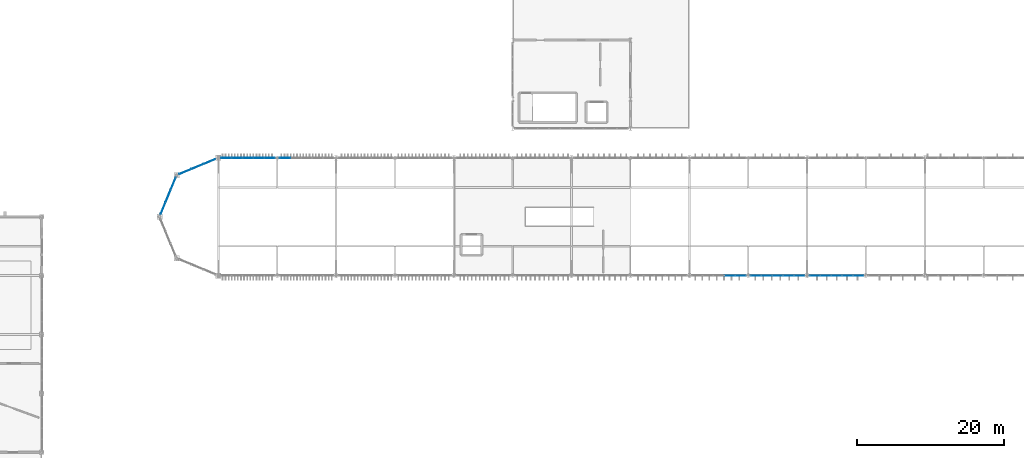
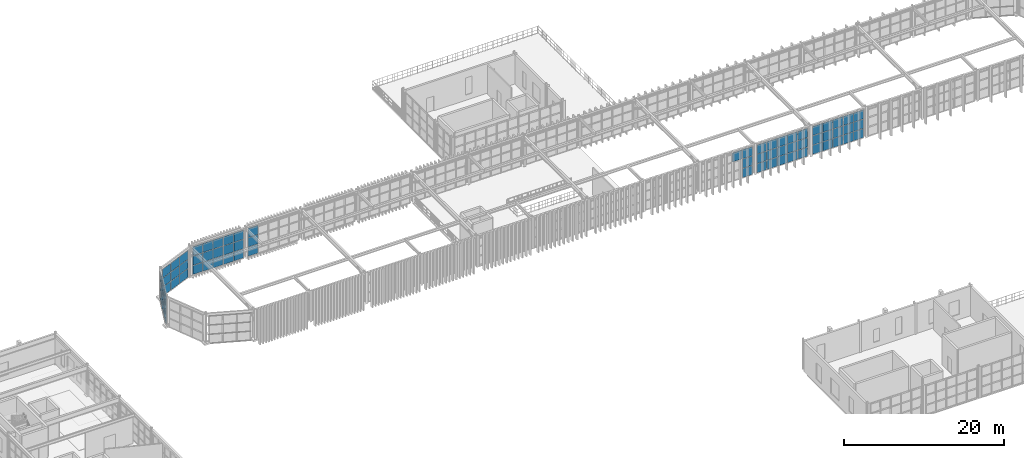
# One storey, part 39 of 61: 70 plates, 7 elements without a shape of their own.
"""IFC4 building model written with IfcOpenShell, lengths in metres."""

from ifc_helpers import new_model, si_unit, direction, frame, origin, origin_2d, place, context, subcontext, project, spatial, rectangle, extrude, material, layer, layer_set, type_object, element, aggregate, save


model = new_model("IFC4")

# Units and contexts
model_context = context("Model", 3, precision=1e-05, world=origin(), true_north=direction((0.0, 1.0)))
body_context = subcontext(model_context, "Body", "Model", "MODEL_VIEW")
ifc_project = project(units=[si_unit("LENGTHUNIT", "METRE"), si_unit("AREAUNIT", "SQUARE_METRE"), si_unit("VOLUMEUNIT", "CUBIC_METRE"), si_unit("PLANEANGLEUNIT", "RADIAN"), si_unit("MASSUNIT", "GRAM", prefix="KILO")], contexts=[model_context])

# Site, building, storey
site_placement = place(None, origin())
site = spatial("IfcSite", under=ifc_project, at=site_placement, CompositionType="ELEMENT")
building_placement = place(site_placement, origin())
building = spatial("IfcBuilding", under=site, at=building_placement, Name="Serraluz Foothill Cableway Terminal", CompositionType="ELEMENT")
storey_placement = place(building_placement, frame((0.0, 0.0, 15.0)))
storey = spatial("IfcBuildingStorey", under=building, at=storey_placement, Name="L03", CompositionType="ELEMENT", Elevation=15.0)

# Curtain wall, plates
ifc_material_1 = material(Name="Architectural bronze alloy C28000", Category="aluminium")
curtain_wall_type_1 = type_object("IfcCurtainWallType", Name="TYP-CW-440X360", PredefinedType="NOTDEFINED", material=ifc_material_1)
curtain_wall_1_placement = place(storey_placement, origin())
curtain_wall_1 = element("IfcCurtainWall", 1, at=curtain_wall_1_placement, inside=storey, type_object=curtain_wall_type_1, Name="Ribbed Glazed Curtain Wall CW-V1-W-L03-3", PredefinedType="NOTDEFINED")
ifc_material_2 = material(Name="Laminated low-E safety glass", Category="glass")
ifc_layer_1 = layer(ifc_material_2, 0.031982421875, Name="Laminated low-E safety glass", Category="glass")
ifc_layer_set_1 = layer_set([ifc_layer_1], Name="Laminated low-E safety glass")
plate_type_1 = type_object("IfcPlateType", Name="TYP-CW-PNL-32", PredefinedType="CURTAIN_PANEL", material=ifc_layer_set_1)
plate_1_placement = place(storey_placement, frame((32.4853515625, 65.172119140625, 0.05517578125), z_axis=(0.0, 0.0, 1.0), x_axis=(0.382684759834, 0.923878982655, 0.0)))
plate_1 = element("IfcPlate", 2, at=plate_1_placement, type_object=plate_type_1, Name="CW-16 panel 1.1", PredefinedType="CURTAIN_PANEL", context=body_context, shape_type="SweptSolid", body=[
    extrude(rectangle(XDim=1.72412109375, YDim=0.031982421875, at=origin_2d()), origin(), (0.0, 0.0, 1.0), 1.3173828125),
])
plate_2_placement = place(storey_placement, frame((32.4853515625, 65.172119140625, 1.427734375), z_axis=(0.0, 0.0, 1.0), x_axis=(0.382684759834, 0.923878982655, 0.0)))
plate_2 = element("IfcPlate", 3, at=plate_2_placement, type_object=plate_type_1, Name="CW-16 panel 1.2", PredefinedType="CURTAIN_PANEL", context=body_context, shape_type="SweptSolid", body=[
    extrude(rectangle(XDim=1.72412109375, YDim=0.031982421875, at=origin_2d()), origin(), (0.0, 0.0, 1.0), 1.344970703125),
])
plate_3_placement = place(storey_placement, frame((32.4853515625, 65.172119140625, 2.82763671875), z_axis=(0.0, 0.0, 1.0), x_axis=(0.382684759834, 0.923878982655, 0.0)))
plate_3 = element("IfcPlate", 4, at=plate_3_placement, type_object=plate_type_1, Name="CW-16 panel 1.3", PredefinedType="CURTAIN_PANEL", context=body_context, shape_type="SweptSolid", body=[
    extrude(rectangle(XDim=1.72412109375, YDim=0.031982421875, at=origin_2d()), origin(), (0.0, 0.0, 1.0), 1.3173828125),
])
plate_4_placement = place(storey_placement, frame((33.171630859375, 66.828369140625, 0.05517578125), z_axis=(0.0, 0.0, 1.0), x_axis=(0.382684759834, 0.923878982655, 0.0)))
plate_4 = element("IfcPlate", 5, at=plate_4_placement, type_object=plate_type_1, Name="CW-16 panel 2.1", PredefinedType="CURTAIN_PANEL", context=body_context, shape_type="SweptSolid", body=[
    extrude(rectangle(XDim=1.751708984375, YDim=0.031982421875, at=origin_2d()), origin(), (0.0, 0.0, 1.0), 1.3173828125),
])
plate_5_placement = place(storey_placement, frame((33.171630859375, 66.828369140625, 1.427734375), z_axis=(0.0, 0.0, 1.0), x_axis=(0.382684759834, 0.923878982655, 0.0)))
plate_5 = element("IfcPlate", 6, at=plate_5_placement, type_object=plate_type_1, Name="CW-16 panel 2.2", PredefinedType="CURTAIN_PANEL", context=body_context, shape_type="SweptSolid", body=[
    extrude(rectangle(XDim=1.751708984375, YDim=0.031982421875, at=origin_2d()), origin(), (0.0, 0.0, 1.0), 1.344970703125),
])
plate_6_placement = place(storey_placement, frame((33.171630859375, 66.828369140625, 2.82763671875), z_axis=(0.0, 0.0, 1.0), x_axis=(0.382684759834, 0.923878982655, 0.0)))
plate_6 = element("IfcPlate", 7, at=plate_6_placement, type_object=plate_type_1, Name="CW-16 panel 2.3", PredefinedType="CURTAIN_PANEL", context=body_context, shape_type="SweptSolid", body=[
    extrude(rectangle(XDim=1.751708984375, YDim=0.031982421875, at=origin_2d()), origin(), (0.0, 0.0, 1.0), 1.3173828125),
])
plate_7_placement = place(storey_placement, frame((33.857666015625, 68.48486328125, 0.05517578125), z_axis=(0.0, 0.0, 1.0), x_axis=(0.382684759834, 0.923878982655, 0.0)))
plate_7 = element("IfcPlate", 8, at=plate_7_placement, type_object=plate_type_1, Name="CW-16 panel 3.1", PredefinedType="CURTAIN_PANEL", context=body_context, shape_type="SweptSolid", body=[
    extrude(rectangle(XDim=1.72412109375, YDim=0.031982421875, at=origin_2d()), origin(), (0.0, 0.0, 1.0), 1.3173828125),
])
plate_8_placement = place(storey_placement, frame((33.857666015625, 68.48486328125, 1.427734375), z_axis=(0.0, 0.0, 1.0), x_axis=(0.382684759834, 0.923878982655, 0.0)))
plate_8 = element("IfcPlate", 9, at=plate_8_placement, type_object=plate_type_1, Name="CW-16 panel 3.2", PredefinedType="CURTAIN_PANEL", context=body_context, shape_type="SweptSolid", body=[
    extrude(rectangle(XDim=1.72412109375, YDim=0.031982421875, at=origin_2d()), origin(), (0.0, 0.0, 1.0), 1.344970703125),
])
plate_9_placement = place(storey_placement, frame((33.857666015625, 68.48486328125, 2.82763671875), z_axis=(0.0, 0.0, 1.0), x_axis=(0.382684759834, 0.923878982655, 0.0)))
plate_9 = element("IfcPlate", 10, at=plate_9_placement, type_object=plate_type_1, Name="CW-16 panel 3.3", PredefinedType="CURTAIN_PANEL", context=body_context, shape_type="SweptSolid", body=[
    extrude(rectangle(XDim=1.72412109375, YDim=0.031982421875, at=origin_2d()), origin(), (0.0, 0.0, 1.0), 1.3173828125),
])
aggregate(curtain_wall_1, [plate_1, plate_2, plate_3, plate_4, plate_5, plate_6, plate_7, plate_8, plate_9])

curtain_wall_type_2 = type_object("IfcCurtainWallType", Name="TYP-CW-380X420", PredefinedType="NOTDEFINED", material=ifc_material_1)
curtain_wall_2_placement = place(storey_placement, origin())
curtain_wall_2 = element("IfcCurtainWall", 11, at=curtain_wall_2_placement, inside=storey, type_object=curtain_wall_type_2, Name="Ribbed Glazed Curtain Wall CW-V1-W-L03-4", PredefinedType="NOTDEFINED")
plate_10_placement = place(storey_placement, frame((35.506591796875, 70.138671875, 0.05517578125), z_axis=(0.0, 0.0, 1.0), x_axis=(0.923880260537, 0.382681674752, 0.0)))
plate_10 = element("IfcPlate", 12, at=plate_10_placement, type_object=plate_type_1, Name="CW-17 panel 1.1", PredefinedType="CURTAIN_PANEL", context=body_context, shape_type="SweptSolid", body=[
    extrude(rectangle(XDim=1.705322265625, YDim=0.031982421875, at=origin_2d()), origin(), (0.0, 0.0, 1.0), 1.3173828125),
])
plate_11_placement = place(storey_placement, frame((35.506591796875, 70.138671875, 1.427734375), z_axis=(0.0, 0.0, 1.0), x_axis=(0.923880260537, 0.382681674752, 0.0)))
plate_11 = element("IfcPlate", 13, at=plate_11_placement, type_object=plate_type_1, Name="CW-17 panel 1.2", PredefinedType="CURTAIN_PANEL", context=body_context, shape_type="SweptSolid", body=[
    extrude(rectangle(XDim=1.705322265625, YDim=0.031982421875, at=origin_2d()), origin(), (0.0, 0.0, 1.0), 1.344970703125),
])
plate_12_placement = place(storey_placement, frame((35.506591796875, 70.138671875, 2.82763671875), z_axis=(0.0, 0.0, 1.0), x_axis=(0.923880260537, 0.382681674752, 0.0)))
plate_12 = element("IfcPlate", 14, at=plate_12_placement, type_object=plate_type_1, Name="CW-17 panel 1.3", PredefinedType="CURTAIN_PANEL", context=body_context, shape_type="SweptSolid", body=[
    extrude(rectangle(XDim=1.705322265625, YDim=0.031982421875, at=origin_2d()), origin(), (0.0, 0.0, 1.0), 1.3173828125),
])
plate_13_placement = place(storey_placement, frame((37.1455078125, 70.817626953125, 0.05517578125), z_axis=(0.0, 0.0, 1.0), x_axis=(0.923880260537, 0.382681674752, 0.0)))
plate_13 = element("IfcPlate", 15, at=plate_13_placement, type_object=plate_type_1, Name="CW-17 panel 2.1", PredefinedType="CURTAIN_PANEL", context=body_context, shape_type="SweptSolid", body=[
    extrude(rectangle(XDim=1.73291015625, YDim=0.031982421875, at=origin_2d()), origin(), (0.0, 0.0, 1.0), 1.3173828125),
])
plate_14_placement = place(storey_placement, frame((37.1455078125, 70.817626953125, 1.427734375), z_axis=(0.0, 0.0, 1.0), x_axis=(0.923880260537, 0.382681674752, 0.0)))
plate_14 = element("IfcPlate", 16, at=plate_14_placement, type_object=plate_type_1, Name="CW-17 panel 2.2", PredefinedType="CURTAIN_PANEL", context=body_context, shape_type="SweptSolid", body=[
    extrude(rectangle(XDim=1.73291015625, YDim=0.031982421875, at=origin_2d()), origin(), (0.0, 0.0, 1.0), 1.344970703125),
])
plate_15_placement = place(storey_placement, frame((37.1455078125, 70.817626953125, 2.82763671875), z_axis=(0.0, 0.0, 1.0), x_axis=(0.923880260537, 0.382681674752, 0.0)))
plate_15 = element("IfcPlate", 17, at=plate_15_placement, type_object=plate_type_1, Name="CW-17 panel 2.3", PredefinedType="CURTAIN_PANEL", context=body_context, shape_type="SweptSolid", body=[
    extrude(rectangle(XDim=1.73291015625, YDim=0.031982421875, at=origin_2d()), origin(), (0.0, 0.0, 1.0), 1.3173828125),
])
plate_16_placement = place(storey_placement, frame((38.784423828125, 71.49658203125, 0.05517578125), z_axis=(0.0, 0.0, 1.0), x_axis=(0.923880260537, 0.382681674752, 0.0)))
plate_16 = element("IfcPlate", 18, at=plate_16_placement, type_object=plate_type_1, Name="CW-17 panel 3.1", PredefinedType="CURTAIN_PANEL", context=body_context, shape_type="SweptSolid", body=[
    extrude(rectangle(XDim=1.705322265625, YDim=0.031982421875, at=origin_2d()), origin(), (0.0, 0.0, 1.0), 1.3173828125),
])
plate_17_placement = place(storey_placement, frame((38.784423828125, 71.49658203125, 1.427734375), z_axis=(0.0, 0.0, 1.0), x_axis=(0.923880260537, 0.382681674752, 0.0)))
plate_17 = element("IfcPlate", 19, at=plate_17_placement, type_object=plate_type_1, Name="CW-17 panel 3.2", PredefinedType="CURTAIN_PANEL", context=body_context, shape_type="SweptSolid", body=[
    extrude(rectangle(XDim=1.705322265625, YDim=0.031982421875, at=origin_2d()), origin(), (0.0, 0.0, 1.0), 1.344970703125),
])
plate_18_placement = place(storey_placement, frame((38.784423828125, 71.49658203125, 2.82763671875), z_axis=(0.0, 0.0, 1.0), x_axis=(0.923880260537, 0.382681674752, 0.0)))
plate_18 = element("IfcPlate", 20, at=plate_18_placement, type_object=plate_type_1, Name="CW-17 panel 3.3", PredefinedType="CURTAIN_PANEL", context=body_context, shape_type="SweptSolid", body=[
    extrude(rectangle(XDim=1.705322265625, YDim=0.031982421875, at=origin_2d()), origin(), (0.0, 0.0, 1.0), 1.3173828125),
])
aggregate(curtain_wall_2, [plate_10, plate_11, plate_12, plate_13, plate_14, plate_15, plate_16, plate_17, plate_18])

curtain_wall_type_3 = type_object("IfcCurtainWallType", Name="TYP-CW-640X440", PredefinedType="NOTDEFINED", material=ifc_material_1)
curtain_wall_3_placement = place(storey_placement, origin())
curtain_wall_3 = element("IfcCurtainWall", 21, at=curtain_wall_3_placement, inside=storey, type_object=curtain_wall_type_3, Name="Ribbed Glazed Curtain Wall CW-V1N-L03-40", PredefinedType="NOTDEFINED")
ifc_material_3 = material(Name="Translucent ribbed laminated channel glass", Category="glass")
ifc_layer_2 = layer(ifc_material_3, 0.0419921875, Name="Translucent ribbed laminated channel glass", Category="glass")
ifc_layer_set_2 = layer_set([ifc_layer_2], Name="Translucent ribbed laminated channel glass")
plate_type_2 = type_object("IfcPlateType", Name="TYP-CW-PNL-42", PredefinedType="CURTAIN_PANEL", material=ifc_layer_set_2)
plate_19_placement = place(storey_placement, frame((41.05908203125, 72.0, 0.06005859375), z_axis=(0.0, 0.0, 1.0), x_axis=(1.0, 0.0, 0.0)))
plate_19 = element("IfcPlate", 22, at=plate_19_placement, type_object=plate_type_2, Name="CW-12 panel 1.1", PredefinedType="CURTAIN_PANEL", context=body_context, shape_type="SweptSolid", body=[
    extrude(rectangle(XDim=1.393310546875, YDim=0.0419921875, at=origin_2d()), origin(), (0.0, 0.0, 1.0), 1.360107421875),
])
plate_20_placement = place(storey_placement, frame((41.05908203125, 72.0, 1.47998046875), z_axis=(0.0, 0.0, 1.0), x_axis=(1.0, 0.0, 0.0)))
plate_20 = element("IfcPlate", 23, at=plate_20_placement, type_object=plate_type_2, Name="CW-12 panel 1.2", PredefinedType="CURTAIN_PANEL", context=body_context, shape_type="SweptSolid", body=[
    extrude(rectangle(XDim=1.393310546875, YDim=0.0419921875, at=origin_2d()), origin(), (0.0, 0.0, 1.0), 1.389892578125),
])
plate_21_placement = place(storey_placement, frame((41.05908203125, 72.0, 2.93017578125), z_axis=(0.0, 0.0, 1.0), x_axis=(1.0, 0.0, 0.0)))
plate_21 = element("IfcPlate", 24, at=plate_21_placement, type_object=plate_type_2, Name="CW-12 panel 1.3", PredefinedType="CURTAIN_PANEL", context=body_context, shape_type="SweptSolid", body=[
    extrude(rectangle(XDim=1.393310546875, YDim=0.0419921875, at=origin_2d()), origin(), (0.0, 0.0, 1.0), 1.360107421875),
])
plate_22_placement = place(storey_placement, frame((42.52734375, 72.0, 0.06005859375), z_axis=(0.0, 0.0, 1.0), x_axis=(1.0, 0.0, 0.0)))
plate_22 = element("IfcPlate", 25, at=plate_22_placement, type_object=plate_type_2, Name="CW-12 panel 2.1", PredefinedType="CURTAIN_PANEL", context=body_context, shape_type="SweptSolid", body=[
    extrude(rectangle(XDim=1.423095703125, YDim=0.0419921875, at=origin_2d()), origin(), (0.0, 0.0, 1.0), 1.360107421875),
])
plate_23_placement = place(storey_placement, frame((42.52734375, 72.0, 1.47998046875), z_axis=(0.0, 0.0, 1.0), x_axis=(1.0, 0.0, 0.0)))
plate_23 = element("IfcPlate", 26, at=plate_23_placement, type_object=plate_type_2, Name="CW-12 panel 2.2", PredefinedType="CURTAIN_PANEL", context=body_context, shape_type="SweptSolid", body=[
    extrude(rectangle(XDim=1.423095703125, YDim=0.0419921875, at=origin_2d()), origin(), (0.0, 0.0, 1.0), 1.389892578125),
])
plate_24_placement = place(storey_placement, frame((42.52734375, 72.0, 2.93017578125), z_axis=(0.0, 0.0, 1.0), x_axis=(1.0, 0.0, 0.0)))
plate_24 = element("IfcPlate", 27, at=plate_24_placement, type_object=plate_type_2, Name="CW-12 panel 2.3", PredefinedType="CURTAIN_PANEL", context=body_context, shape_type="SweptSolid", body=[
    extrude(rectangle(XDim=1.423095703125, YDim=0.0419921875, at=origin_2d()), origin(), (0.0, 0.0, 1.0), 1.360107421875),
])
plate_25_placement = place(storey_placement, frame((44.010498046875, 72.0, 0.06005859375), z_axis=(0.0, 0.0, 1.0), x_axis=(1.0, 0.0, 0.0)))
plate_25 = element("IfcPlate", 28, at=plate_25_placement, type_object=plate_type_2, Name="CW-12 panel 3.1", PredefinedType="CURTAIN_PANEL", context=body_context, shape_type="SweptSolid", body=[
    extrude(rectangle(XDim=1.423095703125, YDim=0.0419921875, at=origin_2d()), origin(), (0.0, 0.0, 1.0), 1.360107421875),
])
plate_26_placement = place(storey_placement, frame((44.010498046875, 72.0, 1.47998046875), z_axis=(0.0, 0.0, 1.0), x_axis=(1.0, 0.0, 0.0)))
plate_26 = element("IfcPlate", 29, at=plate_26_placement, type_object=plate_type_2, Name="CW-12 panel 3.2", PredefinedType="CURTAIN_PANEL", context=body_context, shape_type="SweptSolid", body=[
    extrude(rectangle(XDim=1.423095703125, YDim=0.0419921875, at=origin_2d()), origin(), (0.0, 0.0, 1.0), 1.389892578125),
])
plate_27_placement = place(storey_placement, frame((44.010498046875, 72.0, 2.93017578125), z_axis=(0.0, 0.0, 1.0), x_axis=(1.0, 0.0, 0.0)))
plate_27 = element("IfcPlate", 30, at=plate_27_placement, type_object=plate_type_2, Name="CW-12 panel 3.3", PredefinedType="CURTAIN_PANEL", context=body_context, shape_type="SweptSolid", body=[
    extrude(rectangle(XDim=1.423095703125, YDim=0.0419921875, at=origin_2d()), origin(), (0.0, 0.0, 1.0), 1.360107421875),
])
plate_28_placement = place(storey_placement, frame((45.49365234375, 72.0, 0.06005859375), z_axis=(0.0, 0.0, 1.0), x_axis=(1.0, 0.0, 0.0)))
plate_28 = element("IfcPlate", 31, at=plate_28_placement, type_object=plate_type_2, Name="CW-12 panel 4.1", PredefinedType="CURTAIN_PANEL", context=body_context, shape_type="SweptSolid", body=[
    extrude(rectangle(XDim=1.423095703125, YDim=0.0419921875, at=origin_2d()), origin(), (0.0, 0.0, 1.0), 1.360107421875),
])
plate_29_placement = place(storey_placement, frame((45.49365234375, 72.0, 1.47998046875), z_axis=(0.0, 0.0, 1.0), x_axis=(1.0, 0.0, 0.0)))
plate_29 = element("IfcPlate", 32, at=plate_29_placement, type_object=plate_type_2, Name="CW-12 panel 4.2", PredefinedType="CURTAIN_PANEL", context=body_context, shape_type="SweptSolid", body=[
    extrude(rectangle(XDim=1.423095703125, YDim=0.0419921875, at=origin_2d()), origin(), (0.0, 0.0, 1.0), 1.389892578125),
])
plate_30_placement = place(storey_placement, frame((45.49365234375, 72.0, 2.93017578125), z_axis=(0.0, 0.0, 1.0), x_axis=(1.0, 0.0, 0.0)))
plate_30 = element("IfcPlate", 33, at=plate_30_placement, type_object=plate_type_2, Name="CW-12 panel 4.3", PredefinedType="CURTAIN_PANEL", context=body_context, shape_type="SweptSolid", body=[
    extrude(rectangle(XDim=1.423095703125, YDim=0.0419921875, at=origin_2d()), origin(), (0.0, 0.0, 1.0), 1.360107421875),
])
plate_31_placement = place(storey_placement, frame((46.9619140625, 72.0, 0.06005859375), z_axis=(0.0, 0.0, 1.0), x_axis=(1.0, 0.0, 0.0)))
plate_31 = element("IfcPlate", 34, at=plate_31_placement, type_object=plate_type_2, Name="CW-12 panel 5.1", PredefinedType="CURTAIN_PANEL", context=body_context, shape_type="SweptSolid", body=[
    extrude(rectangle(XDim=1.393310546875, YDim=0.0419921875, at=origin_2d()), origin(), (0.0, 0.0, 1.0), 1.360107421875),
])
plate_32_placement = place(storey_placement, frame((46.9619140625, 72.0, 1.47998046875), z_axis=(0.0, 0.0, 1.0), x_axis=(1.0, 0.0, 0.0)))
plate_32 = element("IfcPlate", 35, at=plate_32_placement, type_object=plate_type_2, Name="CW-12 panel 5.2", PredefinedType="CURTAIN_PANEL", context=body_context, shape_type="SweptSolid", body=[
    extrude(rectangle(XDim=1.393310546875, YDim=0.0419921875, at=origin_2d()), origin(), (0.0, 0.0, 1.0), 1.389892578125),
])
plate_33_placement = place(storey_placement, frame((46.9619140625, 72.0, 2.93017578125), z_axis=(0.0, 0.0, 1.0), x_axis=(1.0, 0.0, 0.0)))
plate_33 = element("IfcPlate", 36, at=plate_33_placement, type_object=plate_type_2, Name="CW-12 panel 5.3", PredefinedType="CURTAIN_PANEL", context=body_context, shape_type="SweptSolid", body=[
    extrude(rectangle(XDim=1.393310546875, YDim=0.0419921875, at=origin_2d()), origin(), (0.0, 0.0, 1.0), 1.360107421875),
])
aggregate(curtain_wall_3, [plate_19, plate_20, plate_21, plate_22, plate_23, plate_24, plate_25, plate_26, plate_27, plate_28, plate_29, plate_30, plate_31, plate_32, plate_33])

curtain_wall_type_4 = type_object("IfcCurtainWallType", Name="TYP-CW-680X420", PredefinedType="NOTDEFINED", material=ifc_material_1)
curtain_wall_4_placement = place(storey_placement, origin())
curtain_wall_4 = element("IfcCurtainWall", 37, at=curtain_wall_4_placement, inside=storey, type_object=curtain_wall_type_4, Name="Ribbed Glazed Curtain Wall CW-V1N-L03-48", PredefinedType="NOTDEFINED")
plate_34_placement = place(storey_placement, frame((49.0380859375, 72.0, 0.06005859375), z_axis=(0.0, 0.0, 1.0), x_axis=(1.0, 0.0, 0.0)))
plate_34 = element("IfcPlate", 38, at=plate_34_placement, type_object=plate_type_2, Name="CW-13 panel 1.1", PredefinedType="CURTAIN_PANEL", context=body_context, shape_type="SweptSolid", body=[
    extrude(rectangle(XDim=1.393310546875, YDim=0.0419921875, at=origin_2d()), origin(), (0.0, 0.0, 1.0), 1.360107421875),
])
plate_35_placement = place(storey_placement, frame((49.0380859375, 72.0, 1.47998046875), z_axis=(0.0, 0.0, 1.0), x_axis=(1.0, 0.0, 0.0)))
plate_35 = element("IfcPlate", 39, at=plate_35_placement, type_object=plate_type_2, Name="CW-13 panel 1.2", PredefinedType="CURTAIN_PANEL", context=body_context, shape_type="SweptSolid", body=[
    extrude(rectangle(XDim=1.393310546875, YDim=0.0419921875, at=origin_2d()), origin(), (0.0, 0.0, 1.0), 1.389892578125),
])
plate_36_placement = place(storey_placement, frame((49.0380859375, 72.0, 2.93017578125), z_axis=(0.0, 0.0, 1.0), x_axis=(1.0, 0.0, 0.0)))
plate_36 = element("IfcPlate", 40, at=plate_36_placement, type_object=plate_type_2, Name="CW-13 panel 1.3", PredefinedType="CURTAIN_PANEL", context=body_context, shape_type="SweptSolid", body=[
    extrude(rectangle(XDim=1.393310546875, YDim=0.0419921875, at=origin_2d()), origin(), (0.0, 0.0, 1.0), 1.360107421875),
])
aggregate(curtain_wall_4, [plate_34, plate_35, plate_36])

curtain_wall_5_placement = place(storey_placement, origin())
curtain_wall_5 = element("IfcCurtainWall", 41, at=curtain_wall_5_placement, inside=storey, type_object=curtain_wall_type_1, Name="Ribbed Glazed Curtain Wall CW-V1S-L03-104", PredefinedType="NOTDEFINED")
plate_37_placement = place(storey_placement, frame((110.9619140625, 56.0, 0.06005859375), z_axis=(0.0, 0.0, 1.0), x_axis=(-1.0, 0.0, 0.0)))
plate_37 = element("IfcPlate", 42, at=plate_37_placement, type_object=plate_type_2, Name="CW-16 panel 1.1", PredefinedType="CURTAIN_PANEL", context=body_context, shape_type="SweptSolid", body=[
    extrude(rectangle(XDim=1.393310546875, YDim=0.0419921875, at=origin_2d()), origin(), (0.0, 0.0, 1.0), 1.360107421875),
])
plate_38_placement = place(storey_placement, frame((110.9619140625, 56.0, 1.47998046875), z_axis=(0.0, 0.0, 1.0), x_axis=(-1.0, 0.0, 0.0)))
plate_38 = element("IfcPlate", 43, at=plate_38_placement, type_object=plate_type_2, Name="CW-16 panel 1.2", PredefinedType="CURTAIN_PANEL", context=body_context, shape_type="SweptSolid", body=[
    extrude(rectangle(XDim=1.393310546875, YDim=0.0419921875, at=origin_2d()), origin(), (0.0, 0.0, 1.0), 1.389892578125),
])
plate_39_placement = place(storey_placement, frame((110.9619140625, 56.0, 2.93017578125), z_axis=(0.0, 0.0, 1.0), x_axis=(-1.0, 0.0, 0.0)))
plate_39 = element("IfcPlate", 44, at=plate_39_placement, type_object=plate_type_2, Name="CW-16 panel 1.3", PredefinedType="CURTAIN_PANEL", context=body_context, shape_type="SweptSolid", body=[
    extrude(rectangle(XDim=1.393310546875, YDim=0.0419921875, at=origin_2d()), origin(), (0.0, 0.0, 1.0), 1.360107421875),
])
plate_40_placement = place(storey_placement, frame((109.49365234375, 56.0, 2.93017578125), z_axis=(0.0, 0.0, 1.0), x_axis=(-1.0, 0.0, 0.0)))
plate_40 = element("IfcPlate", 45, at=plate_40_placement, type_object=plate_type_2, Name="CW-16 panel 2.3", PredefinedType="CURTAIN_PANEL", context=body_context, shape_type="SweptSolid", body=[
    extrude(rectangle(XDim=1.423095703125, YDim=0.0419921875, at=origin_2d()), origin(), (0.0, 0.0, 1.0), 1.360107421875),
])
aggregate(curtain_wall_5, [plate_37, plate_38, plate_39, plate_40])

curtain_wall_6_placement = place(storey_placement, origin())
curtain_wall_6 = element("IfcCurtainWall", 46, at=curtain_wall_6_placement, inside=storey, type_object=curtain_wall_type_2, Name="Ribbed Glazed Curtain Wall CW-V1S-L03-112", PredefinedType="NOTDEFINED")
plate_41_placement = place(storey_placement, frame((118.94091796875, 56.0, 0.06005859375), z_axis=(0.0, 0.0, 1.0), x_axis=(-1.0, 0.0, 0.0)))
plate_41 = element("IfcPlate", 47, at=plate_41_placement, type_object=plate_type_2, Name="CW-17 panel 1.1", PredefinedType="CURTAIN_PANEL", context=body_context, shape_type="SweptSolid", body=[
    extrude(rectangle(XDim=1.393310546875, YDim=0.0419921875, at=origin_2d()), origin(), (0.0, 0.0, 1.0), 1.360107421875),
])
plate_42_placement = place(storey_placement, frame((118.94091796875, 56.0, 1.47998046875), z_axis=(0.0, 0.0, 1.0), x_axis=(-1.0, 0.0, 0.0)))
plate_42 = element("IfcPlate", 48, at=plate_42_placement, type_object=plate_type_2, Name="CW-17 panel 1.2", PredefinedType="CURTAIN_PANEL", context=body_context, shape_type="SweptSolid", body=[
    extrude(rectangle(XDim=1.393310546875, YDim=0.0419921875, at=origin_2d()), origin(), (0.0, 0.0, 1.0), 1.389892578125),
])
plate_43_placement = place(storey_placement, frame((118.94091796875, 56.0, 2.93017578125), z_axis=(0.0, 0.0, 1.0), x_axis=(-1.0, 0.0, 0.0)))
plate_43 = element("IfcPlate", 49, at=plate_43_placement, type_object=plate_type_2, Name="CW-17 panel 1.3", PredefinedType="CURTAIN_PANEL", context=body_context, shape_type="SweptSolid", body=[
    extrude(rectangle(XDim=1.393310546875, YDim=0.0419921875, at=origin_2d()), origin(), (0.0, 0.0, 1.0), 1.360107421875),
])
plate_44_placement = place(storey_placement, frame((117.47265625, 56.0, 0.06005859375), z_axis=(0.0, 0.0, 1.0), x_axis=(-1.0, 0.0, 0.0)))
plate_44 = element("IfcPlate", 50, at=plate_44_placement, type_object=plate_type_2, Name="CW-17 panel 2.1", PredefinedType="CURTAIN_PANEL", context=body_context, shape_type="SweptSolid", body=[
    extrude(rectangle(XDim=1.423095703125, YDim=0.0419921875, at=origin_2d()), origin(), (0.0, 0.0, 1.0), 1.360107421875),
])
plate_45_placement = place(storey_placement, frame((117.47265625, 56.0, 1.47998046875), z_axis=(0.0, 0.0, 1.0), x_axis=(-1.0, 0.0, 0.0)))
plate_45 = element("IfcPlate", 51, at=plate_45_placement, type_object=plate_type_2, Name="CW-17 panel 2.2", PredefinedType="CURTAIN_PANEL", context=body_context, shape_type="SweptSolid", body=[
    extrude(rectangle(XDim=1.423095703125, YDim=0.0419921875, at=origin_2d()), origin(), (0.0, 0.0, 1.0), 1.389892578125),
])
plate_46_placement = place(storey_placement, frame((117.47265625, 56.0, 2.93017578125), z_axis=(0.0, 0.0, 1.0), x_axis=(-1.0, 0.0, 0.0)))
plate_46 = element("IfcPlate", 52, at=plate_46_placement, type_object=plate_type_2, Name="CW-17 panel 2.3", PredefinedType="CURTAIN_PANEL", context=body_context, shape_type="SweptSolid", body=[
    extrude(rectangle(XDim=1.423095703125, YDim=0.0419921875, at=origin_2d()), origin(), (0.0, 0.0, 1.0), 1.360107421875),
])
plate_47_placement = place(storey_placement, frame((115.989501953125, 56.0, 0.06005859375), z_axis=(0.0, 0.0, 1.0), x_axis=(-1.0, 0.0, 0.0)))
plate_47 = element("IfcPlate", 53, at=plate_47_placement, type_object=plate_type_2, Name="CW-17 panel 3.1", PredefinedType="CURTAIN_PANEL", context=body_context, shape_type="SweptSolid", body=[
    extrude(rectangle(XDim=1.423095703125, YDim=0.0419921875, at=origin_2d()), origin(), (0.0, 0.0, 1.0), 1.360107421875),
])
plate_48_placement = place(storey_placement, frame((115.989501953125, 56.0, 1.47998046875), z_axis=(0.0, 0.0, 1.0), x_axis=(-1.0, 0.0, 0.0)))
plate_48 = element("IfcPlate", 54, at=plate_48_placement, type_object=plate_type_2, Name="CW-17 panel 3.2", PredefinedType="CURTAIN_PANEL", context=body_context, shape_type="SweptSolid", body=[
    extrude(rectangle(XDim=1.423095703125, YDim=0.0419921875, at=origin_2d()), origin(), (0.0, 0.0, 1.0), 1.389892578125),
])
plate_49_placement = place(storey_placement, frame((115.989501953125, 56.0, 2.93017578125), z_axis=(0.0, 0.0, 1.0), x_axis=(-1.0, 0.0, 0.0)))
plate_49 = element("IfcPlate", 55, at=plate_49_placement, type_object=plate_type_2, Name="CW-17 panel 3.3", PredefinedType="CURTAIN_PANEL", context=body_context, shape_type="SweptSolid", body=[
    extrude(rectangle(XDim=1.423095703125, YDim=0.0419921875, at=origin_2d()), origin(), (0.0, 0.0, 1.0), 1.360107421875),
])
plate_50_placement = place(storey_placement, frame((114.50634765625, 56.0, 0.06005859375), z_axis=(0.0, 0.0, 1.0), x_axis=(-1.0, 0.0, 0.0)))
plate_50 = element("IfcPlate", 56, at=plate_50_placement, type_object=plate_type_2, Name="CW-17 panel 4.1", PredefinedType="CURTAIN_PANEL", context=body_context, shape_type="SweptSolid", body=[
    extrude(rectangle(XDim=1.423095703125, YDim=0.0419921875, at=origin_2d()), origin(), (0.0, 0.0, 1.0), 1.360107421875),
])
plate_51_placement = place(storey_placement, frame((114.50634765625, 56.0, 1.47998046875), z_axis=(0.0, 0.0, 1.0), x_axis=(-1.0, 0.0, 0.0)))
plate_51 = element("IfcPlate", 57, at=plate_51_placement, type_object=plate_type_2, Name="CW-17 panel 4.2", PredefinedType="CURTAIN_PANEL", context=body_context, shape_type="SweptSolid", body=[
    extrude(rectangle(XDim=1.423095703125, YDim=0.0419921875, at=origin_2d()), origin(), (0.0, 0.0, 1.0), 1.389892578125),
])
plate_52_placement = place(storey_placement, frame((114.50634765625, 56.0, 2.93017578125), z_axis=(0.0, 0.0, 1.0), x_axis=(-1.0, 0.0, 0.0)))
plate_52 = element("IfcPlate", 58, at=plate_52_placement, type_object=plate_type_2, Name="CW-17 panel 4.3", PredefinedType="CURTAIN_PANEL", context=body_context, shape_type="SweptSolid", body=[
    extrude(rectangle(XDim=1.423095703125, YDim=0.0419921875, at=origin_2d()), origin(), (0.0, 0.0, 1.0), 1.360107421875),
])
plate_53_placement = place(storey_placement, frame((113.0380859375, 56.0, 0.06005859375), z_axis=(0.0, 0.0, 1.0), x_axis=(-1.0, 0.0, 0.0)))
plate_53 = element("IfcPlate", 59, at=plate_53_placement, type_object=plate_type_2, Name="CW-17 panel 5.1", PredefinedType="CURTAIN_PANEL", context=body_context, shape_type="SweptSolid", body=[
    extrude(rectangle(XDim=1.393310546875, YDim=0.0419921875, at=origin_2d()), origin(), (0.0, 0.0, 1.0), 1.360107421875),
])
plate_54_placement = place(storey_placement, frame((113.0380859375, 56.0, 1.47998046875), z_axis=(0.0, 0.0, 1.0), x_axis=(-1.0, 0.0, 0.0)))
plate_54 = element("IfcPlate", 60, at=plate_54_placement, type_object=plate_type_2, Name="CW-17 panel 5.2", PredefinedType="CURTAIN_PANEL", context=body_context, shape_type="SweptSolid", body=[
    extrude(rectangle(XDim=1.393310546875, YDim=0.0419921875, at=origin_2d()), origin(), (0.0, 0.0, 1.0), 1.389892578125),
])
plate_55_placement = place(storey_placement, frame((113.0380859375, 56.0, 2.93017578125), z_axis=(0.0, 0.0, 1.0), x_axis=(-1.0, 0.0, 0.0)))
plate_55 = element("IfcPlate", 61, at=plate_55_placement, type_object=plate_type_2, Name="CW-17 panel 5.3", PredefinedType="CURTAIN_PANEL", context=body_context, shape_type="SweptSolid", body=[
    extrude(rectangle(XDim=1.393310546875, YDim=0.0419921875, at=origin_2d()), origin(), (0.0, 0.0, 1.0), 1.360107421875),
])
aggregate(curtain_wall_6, [plate_41, plate_42, plate_43, plate_44, plate_45, plate_46, plate_47, plate_48, plate_49, plate_50, plate_51, plate_52, plate_53, plate_54, plate_55])

curtain_wall_type_5 = type_object("IfcCurtainWallType", Name="TYP-CW-360X380", PredefinedType="NOTDEFINED", material=ifc_material_1)
curtain_wall_7_placement = place(storey_placement, origin())
curtain_wall_7 = element("IfcCurtainWall", 62, at=curtain_wall_7_placement, inside=storey, type_object=curtain_wall_type_5, Name="Ribbed Glazed Curtain Wall CW-V1S-L03-120", PredefinedType="NOTDEFINED")
plate_56_placement = place(storey_placement, frame((126.9619140625, 56.0, 0.06005859375), z_axis=(0.0, 0.0, 1.0), x_axis=(-1.0, 0.0, 0.0)))
plate_56 = element("IfcPlate", 63, at=plate_56_placement, type_object=plate_type_2, Name="CW-18 panel 1.1", PredefinedType="CURTAIN_PANEL", context=body_context, shape_type="SweptSolid", body=[
    extrude(rectangle(XDim=1.393310546875, YDim=0.0419921875, at=origin_2d()), origin(), (0.0, 0.0, 1.0), 1.360107421875),
])
plate_57_placement = place(storey_placement, frame((126.9619140625, 56.0, 1.47998046875), z_axis=(0.0, 0.0, 1.0), x_axis=(-1.0, 0.0, 0.0)))
plate_57 = element("IfcPlate", 64, at=plate_57_placement, type_object=plate_type_2, Name="CW-18 panel 1.2", PredefinedType="CURTAIN_PANEL", context=body_context, shape_type="SweptSolid", body=[
    extrude(rectangle(XDim=1.393310546875, YDim=0.0419921875, at=origin_2d()), origin(), (0.0, 0.0, 1.0), 1.389892578125),
])
plate_58_placement = place(storey_placement, frame((126.9619140625, 56.0, 2.93017578125), z_axis=(0.0, 0.0, 1.0), x_axis=(-1.0, 0.0, 0.0)))
plate_58 = element("IfcPlate", 65, at=plate_58_placement, type_object=plate_type_2, Name="CW-18 panel 1.3", PredefinedType="CURTAIN_PANEL", context=body_context, shape_type="SweptSolid", body=[
    extrude(rectangle(XDim=1.393310546875, YDim=0.0419921875, at=origin_2d()), origin(), (0.0, 0.0, 1.0), 1.360107421875),
])
plate_59_placement = place(storey_placement, frame((125.49365234375, 56.0, 0.06005859375), z_axis=(0.0, 0.0, 1.0), x_axis=(-1.0, 0.0, 0.0)))
plate_59 = element("IfcPlate", 66, at=plate_59_placement, type_object=plate_type_2, Name="CW-18 panel 2.1", PredefinedType="CURTAIN_PANEL", context=body_context, shape_type="SweptSolid", body=[
    extrude(rectangle(XDim=1.423095703125, YDim=0.0419921875, at=origin_2d()), origin(), (0.0, 0.0, 1.0), 1.360107421875),
])
plate_60_placement = place(storey_placement, frame((125.49365234375, 56.0, 1.47998046875), z_axis=(0.0, 0.0, 1.0), x_axis=(-1.0, 0.0, 0.0)))
plate_60 = element("IfcPlate", 67, at=plate_60_placement, type_object=plate_type_2, Name="CW-18 panel 2.2", PredefinedType="CURTAIN_PANEL", context=body_context, shape_type="SweptSolid", body=[
    extrude(rectangle(XDim=1.423095703125, YDim=0.0419921875, at=origin_2d()), origin(), (0.0, 0.0, 1.0), 1.389892578125),
])
plate_61_placement = place(storey_placement, frame((125.49365234375, 56.0, 2.93017578125), z_axis=(0.0, 0.0, 1.0), x_axis=(-1.0, 0.0, 0.0)))
plate_61 = element("IfcPlate", 68, at=plate_61_placement, type_object=plate_type_2, Name="CW-18 panel 2.3", PredefinedType="CURTAIN_PANEL", context=body_context, shape_type="SweptSolid", body=[
    extrude(rectangle(XDim=1.423095703125, YDim=0.0419921875, at=origin_2d()), origin(), (0.0, 0.0, 1.0), 1.360107421875),
])
plate_62_placement = place(storey_placement, frame((124.010498046875, 56.0, 0.06005859375), z_axis=(0.0, 0.0, 1.0), x_axis=(-1.0, 0.0, 0.0)))
plate_62 = element("IfcPlate", 69, at=plate_62_placement, type_object=plate_type_2, Name="CW-18 panel 3.1", PredefinedType="CURTAIN_PANEL", context=body_context, shape_type="SweptSolid", body=[
    extrude(rectangle(XDim=1.423095703125, YDim=0.0419921875, at=origin_2d()), origin(), (0.0, 0.0, 1.0), 1.360107421875),
])
plate_63_placement = place(storey_placement, frame((124.010498046875, 56.0, 1.47998046875), z_axis=(0.0, 0.0, 1.0), x_axis=(-1.0, 0.0, 0.0)))
plate_63 = element("IfcPlate", 70, at=plate_63_placement, type_object=plate_type_2, Name="CW-18 panel 3.2", PredefinedType="CURTAIN_PANEL", context=body_context, shape_type="SweptSolid", body=[
    extrude(rectangle(XDim=1.423095703125, YDim=0.0419921875, at=origin_2d()), origin(), (0.0, 0.0, 1.0), 1.389892578125),
])
plate_64_placement = place(storey_placement, frame((124.010498046875, 56.0, 2.93017578125), z_axis=(0.0, 0.0, 1.0), x_axis=(-1.0, 0.0, 0.0)))
plate_64 = element("IfcPlate", 71, at=plate_64_placement, type_object=plate_type_2, Name="CW-18 panel 3.3", PredefinedType="CURTAIN_PANEL", context=body_context, shape_type="SweptSolid", body=[
    extrude(rectangle(XDim=1.423095703125, YDim=0.0419921875, at=origin_2d()), origin(), (0.0, 0.0, 1.0), 1.360107421875),
])
plate_65_placement = place(storey_placement, frame((122.52734375, 56.0, 0.06005859375), z_axis=(0.0, 0.0, 1.0), x_axis=(-1.0, 0.0, 0.0)))
plate_65 = element("IfcPlate", 72, at=plate_65_placement, type_object=plate_type_2, Name="CW-18 panel 4.1", PredefinedType="CURTAIN_PANEL", context=body_context, shape_type="SweptSolid", body=[
    extrude(rectangle(XDim=1.423095703125, YDim=0.0419921875, at=origin_2d()), origin(), (0.0, 0.0, 1.0), 1.360107421875),
])
plate_66_placement = place(storey_placement, frame((122.52734375, 56.0, 1.47998046875), z_axis=(0.0, 0.0, 1.0), x_axis=(-1.0, 0.0, 0.0)))
plate_66 = element("IfcPlate", 73, at=plate_66_placement, type_object=plate_type_2, Name="CW-18 panel 4.2", PredefinedType="CURTAIN_PANEL", context=body_context, shape_type="SweptSolid", body=[
    extrude(rectangle(XDim=1.423095703125, YDim=0.0419921875, at=origin_2d()), origin(), (0.0, 0.0, 1.0), 1.389892578125),
])
plate_67_placement = place(storey_placement, frame((122.52734375, 56.0, 2.93017578125), z_axis=(0.0, 0.0, 1.0), x_axis=(-1.0, 0.0, 0.0)))
plate_67 = element("IfcPlate", 74, at=plate_67_placement, type_object=plate_type_2, Name="CW-18 panel 4.3", PredefinedType="CURTAIN_PANEL", context=body_context, shape_type="SweptSolid", body=[
    extrude(rectangle(XDim=1.423095703125, YDim=0.0419921875, at=origin_2d()), origin(), (0.0, 0.0, 1.0), 1.360107421875),
])
plate_68_placement = place(storey_placement, frame((121.05908203125, 56.0, 0.06005859375), z_axis=(0.0, 0.0, 1.0), x_axis=(-1.0, 0.0, 0.0)))
plate_68 = element("IfcPlate", 75, at=plate_68_placement, type_object=plate_type_2, Name="CW-18 panel 5.1", PredefinedType="CURTAIN_PANEL", context=body_context, shape_type="SweptSolid", body=[
    extrude(rectangle(XDim=1.393310546875, YDim=0.0419921875, at=origin_2d()), origin(), (0.0, 0.0, 1.0), 1.360107421875),
])
plate_69_placement = place(storey_placement, frame((121.05908203125, 56.0, 1.47998046875), z_axis=(0.0, 0.0, 1.0), x_axis=(-1.0, 0.0, 0.0)))
plate_69 = element("IfcPlate", 76, at=plate_69_placement, type_object=plate_type_2, Name="CW-18 panel 5.2", PredefinedType="CURTAIN_PANEL", context=body_context, shape_type="SweptSolid", body=[
    extrude(rectangle(XDim=1.393310546875, YDim=0.0419921875, at=origin_2d()), origin(), (0.0, 0.0, 1.0), 1.389892578125),
])
plate_70_placement = place(storey_placement, frame((121.05908203125, 56.0, 2.93017578125), z_axis=(0.0, 0.0, 1.0), x_axis=(-1.0, 0.0, 0.0)))
plate_70 = element("IfcPlate", 77, at=plate_70_placement, type_object=plate_type_2, Name="CW-18 panel 5.3", PredefinedType="CURTAIN_PANEL", context=body_context, shape_type="SweptSolid", body=[
    extrude(rectangle(XDim=1.393310546875, YDim=0.0419921875, at=origin_2d()), origin(), (0.0, 0.0, 1.0), 1.360107421875),
])
aggregate(curtain_wall_7, [plate_56, plate_57, plate_58, plate_59, plate_60, plate_61, plate_62, plate_63, plate_64, plate_65, plate_66, plate_67, plate_68, plate_69, plate_70])

save(model, "model.ifc")
